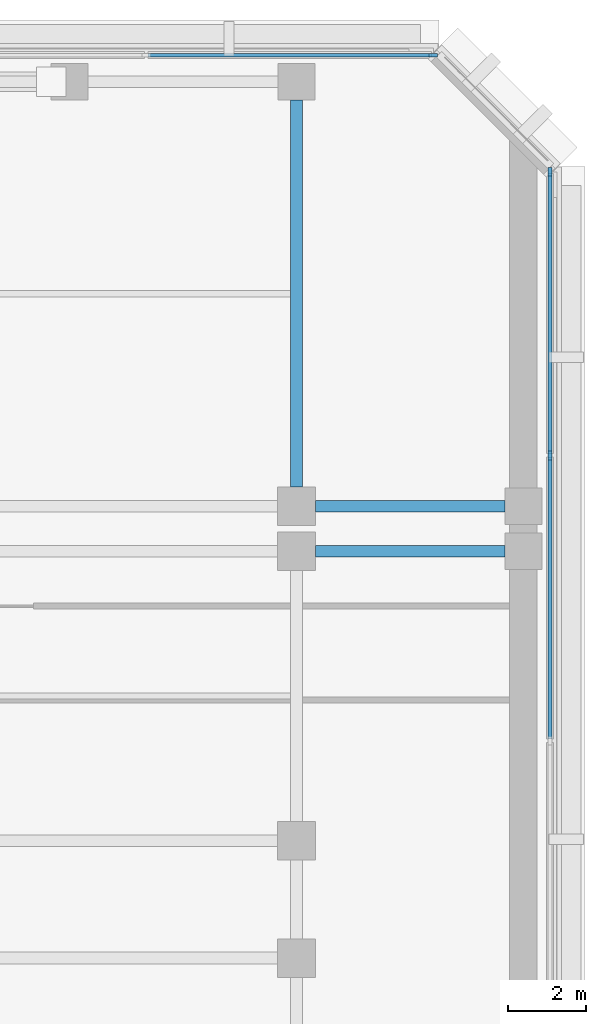
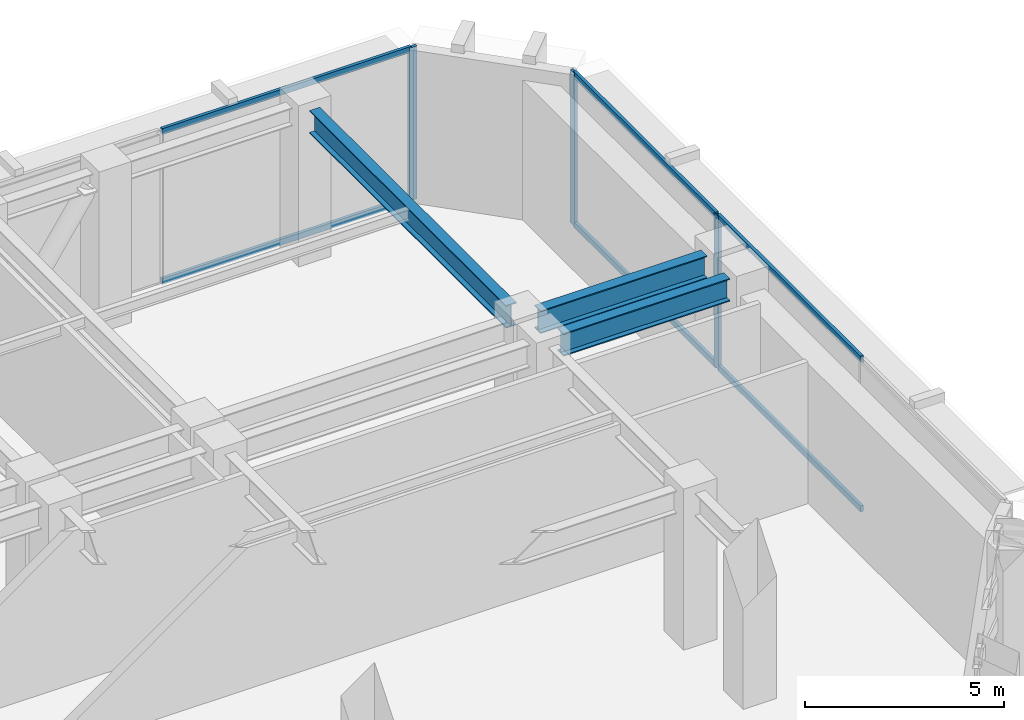
# One storey, part 5 of 13: 9 members, 3 beams, 2 elements without a shape of their own.
"""IFC4 building model written with IfcOpenShell, lengths in metres."""

from ifc_helpers import new_model, si_unit, direction, frame, origin, origin_2d, place, context, subcontext, project, spatial, rectangle, i_section, extrude, material, layer, layer_set, material_profile, profile_set, type_object, element, aggregate, save


model = new_model("IFC4")

# Units and contexts
model_context = context("Model", 3, precision=1e-05, world=origin(), true_north=direction((0.0, 1.0)))
body_context = subcontext(model_context, "Body", "Model", "MODEL_VIEW")
ifc_project = project(units=[si_unit("LENGTHUNIT", "METRE"), si_unit("AREAUNIT", "SQUARE_METRE"), si_unit("VOLUMEUNIT", "CUBIC_METRE"), si_unit("PLANEANGLEUNIT", "RADIAN"), si_unit("MASSUNIT", "GRAM", prefix="KILO")], contexts=[model_context])

# Site, building, storey
site_placement = place(None, origin())
site = spatial("IfcSite", under=ifc_project, at=site_placement, CompositionType="ELEMENT")
building_placement = place(site_placement, origin())
building = spatial("IfcBuilding", under=site, at=building_placement, Name="Kefirva Bronze Tower", CompositionType="ELEMENT")
storey_placement = place(building_placement, frame((0.0, 0.0, 93.719970703125)))
storey = spatial("IfcBuildingStorey", under=building, at=storey_placement, Name="L22", CompositionType="ELEMENT", Elevation=93.719970703125)

# Curtain wall, members
ifc_material_1 = material(Name="Bronze anodised aluminium", Category="aluminium")
ifc_layer = layer(ifc_material_1, 0.219970703125, Name="Bronze anodised aluminium")
ifc_layer_set = layer_set([ifc_layer], Name="Bronze anodised aluminium")
curtain_wall_type = type_object("IfcCurtainWallType", Name="Refuge Acoustic Louvre Curtain Screen", PredefinedType="USERDEFINED", material=ifc_layer_set)
curtain_wall_1_placement = place(storey_placement, origin())
curtain_wall_1 = element("IfcCurtainWall", 1, at=curtain_wall_1_placement, inside=storey, type_object=curtain_wall_type, Name="L22 Curtain Wall 3", ObjectType="LOUVRE SCREEN WALL", PredefinedType="USERDEFINED")
ifc_material_profile_1 = material_profile(ifc_material_1, rectangle(XDim=0.090087890625, YDim=0.219970703125, at=origin_2d()), Name="ALU 90x220")
ifc_profile_set_1 = profile_set([ifc_material_profile_1], Name="Bronze anodised aluminium")
member_type_1 = type_object("IfcMemberType", Name="Bronze Mullion 90x220", PredefinedType="MULLION", material=ifc_profile_set_1)
member_1_placement = place(storey_placement, frame((55.8798828125, 35.6484375, 0.0), z_axis=(0.0, 0.0, 1.0), x_axis=(-1.0, 0.0, 0.0)))
member_1 = element("IfcMember", 2, at=member_1_placement, type_object=member_type_1, Name="CW-06 mullion 3", PredefinedType="MULLION", context=body_context, shape_type="SweptSolid", body=[
    extrude(rectangle(XDim=0.090087890625, YDim=0.219970703125, at=origin_2d()), origin(), (0.0, 0.0, 1.0), 4.699951171875),
])
member_2_placement = place(storey_placement, frame((55.8798828125, 42.89990234375, 0.0), z_axis=(0.0, 0.0, 1.0), x_axis=(-1.0, 0.0, 0.0)))
member_2 = element("IfcMember", 3, at=member_2_placement, type_object=member_type_1, Name="CW-06 mullion 4", PredefinedType="MULLION", context=body_context, shape_type="SweptSolid", body=[
    extrude(rectangle(XDim=0.090087890625, YDim=0.219970703125, at=origin_2d()), origin(), (0.0, 0.0, 1.0), 4.699951171875),
])

# Curtain wall, member
curtain_wall_2_placement = place(storey_placement, origin())
curtain_wall_2 = element("IfcCurtainWall", 4, at=curtain_wall_2_placement, inside=storey, type_object=curtain_wall_type, Name="L22 Curtain Wall 4", ObjectType="LOUVRE SCREEN WALL", PredefinedType="USERDEFINED")
member_3_placement = place(storey_placement, frame((52.89990234375, 45.8798828125, 0.0), z_axis=(0.0, 0.0, 1.0), x_axis=(0.0, -1.0, 0.0)))
member_3 = element("IfcMember", 5, at=member_3_placement, type_object=member_type_1, Name="CW-06 mullion 1", PredefinedType="MULLION", context=body_context, shape_type="SweptSolid", body=[
    extrude(rectangle(XDim=0.090087890625, YDim=0.219970703125, at=origin_2d()), origin(), (0.0, 0.0, 1.0), 4.699951171875),
])

# Member
ifc_material_profile_2 = material_profile(ifc_material_1, rectangle(XDim=0.090087890625, YDim=0.179931640625, at=origin_2d()), Name="ALU 90x180")
ifc_profile_set_2 = profile_set([ifc_material_profile_2], Name="Bronze anodised aluminium")
member_type_2 = type_object("IfcMemberType", Name="Bronze Transom 90x180", PredefinedType="USERDEFINED", material=ifc_profile_set_2)
member_4_placement = place(storey_placement, frame((55.8798828125, 28.396728515625, 0.044921875), z_axis=(0.0, 1.0, 0.0), x_axis=(-1.0, 0.0, 0.0)))
member_4 = element("IfcMember", 6, at=member_4_placement, type_object=member_type_2, Name="CW-06 transom 2.1", ObjectType="TRANSOM", PredefinedType="USERDEFINED", context=body_context, shape_type="SweptSolid", body=[
    extrude(rectangle(XDim=0.090087890625, YDim=0.179931640625, at=origin_2d()), origin(), (0.0, 0.0, 1.0), 7.20654296875),
])

member_5_placement = place(storey_placement, frame((55.8798828125, 28.396728515625, 4.655029296875), z_axis=(0.0, 1.0, 0.0), x_axis=(-1.0, 0.0, 0.0)))
member_5 = element("IfcMember", 7, at=member_5_placement, type_object=member_type_2, Name="CW-06 transom 2.2", ObjectType="TRANSOM", PredefinedType="USERDEFINED", context=body_context, shape_type="SweptSolid", body=[
    extrude(rectangle(XDim=0.090087890625, YDim=0.179931640625, at=origin_2d()), origin(), (0.0, 0.0, 1.0), 7.20654296875),
])

member_6_placement = place(storey_placement, frame((55.8798828125, 35.693359375, 0.044921875), z_axis=(0.0, 1.0, 0.0), x_axis=(-1.0, 0.0, 0.0)))
member_6 = element("IfcMember", 8, at=member_6_placement, type_object=member_type_2, Name="CW-06 transom 3.1", ObjectType="TRANSOM", PredefinedType="USERDEFINED", context=body_context, shape_type="SweptSolid", body=[
    extrude(rectangle(XDim=0.090087890625, YDim=0.179931640625, at=origin_2d()), origin(), (0.0, 0.0, 1.0), 7.16162109375),
])

member_7_placement = place(storey_placement, frame((55.8798828125, 35.693359375, 4.655029296875), z_axis=(0.0, 1.0, 0.0), x_axis=(-1.0, 0.0, 0.0)))
member_7 = element("IfcMember", 9, at=member_7_placement, type_object=member_type_2, Name="CW-06 transom 3.2", ObjectType="TRANSOM", PredefinedType="USERDEFINED", context=body_context, shape_type="SweptSolid", body=[
    extrude(rectangle(XDim=0.090087890625, YDim=0.179931640625, at=origin_2d()), origin(), (0.0, 0.0, 1.0), 7.16162109375),
])

aggregate(curtain_wall_1, [member_1, member_2, member_4, member_5, member_6, member_7])

member_8_placement = place(storey_placement, frame((52.85498046875, 45.8798828125, 0.044921875), z_axis=(-1.0, 0.0, 0.0), x_axis=(0.0, -1.0, 0.0)))
member_8 = element("IfcMember", 10, at=member_8_placement, type_object=member_type_2, Name="CW-06 transom 1.1", ObjectType="TRANSOM", PredefinedType="USERDEFINED", context=body_context, shape_type="SweptSolid", body=[
    extrude(rectangle(XDim=0.090087890625, YDim=0.179931640625, at=origin_2d()), origin(), (0.0, 0.0, 1.0), 7.25),
])

member_9_placement = place(storey_placement, frame((52.85498046875, 45.8798828125, 4.655029296875), z_axis=(-1.0, 0.0, 0.0), x_axis=(0.0, -1.0, 0.0)))
member_9 = element("IfcMember", 11, at=member_9_placement, type_object=member_type_2, Name="CW-06 transom 1.2", ObjectType="TRANSOM", PredefinedType="USERDEFINED", context=body_context, shape_type="SweptSolid", body=[
    extrude(rectangle(XDim=0.090087890625, YDim=0.179931640625, at=origin_2d()), origin(), (0.0, 0.0, 1.0), 7.25),
])

aggregate(curtain_wall_2, [member_3, member_8, member_9])

# Beams
ifc_material_2 = material(Name="Steel S355", Category="steel")
ifc_material_profile_3 = material_profile(ifc_material_2, i_section(OverallWidth=0.300048828125, OverallDepth=0.699951171875, WebThickness=0.01708984375, FlangeThickness=0.031982421875, at=origin_2d()), Name="HEB 700")
ifc_profile_set_3 = profile_set([ifc_material_profile_3], Name="Steel S355")
beam_type = type_object("IfcBeamType", Name="Steel Girder HEB 700", PredefinedType="USERDEFINED", material=ifc_profile_set_3)
for number, where, z_axis, x_axis, name in (
    (12, (49.889892578125, 33.199951171875, 4.35009765625), (1.0, 0.0, 0.0), (0.0, 1.0, 0.0), "L22 BM-L22-EW-49-332"),
    (13, (49.889892578125, 34.35009765625, 4.35009765625), (1.0, 0.0, 0.0), (0.0, 1.0, 0.0), "L22 BM-L22-EW-49-344"),
):
    element("IfcBeam", number, at=place(storey_placement, frame(where, z_axis=z_axis, x_axis=x_axis)), inside=storey, type_object=beam_type, Name=name, ObjectType="GIRDER", PredefinedType="USERDEFINED", context=body_context, shape_type="SweptSolid", body=[
        extrude(i_section(OverallWidth=0.300048828125, OverallDepth=0.699951171875, WebThickness=0.01708984375, FlangeThickness=0.031982421875, at=origin_2d()), origin(), (0.0, 0.0, 1.0), 4.840087890625),
    ])
beam_placement = place(storey_placement, frame((49.39990234375, 34.840087890625, 4.35009765625), z_axis=(0.0, 1.0, 0.0), x_axis=(-1.0, 0.0, 0.0)))
element("IfcBeam", 14, at=beam_placement, inside=storey, type_object=beam_type, Name="L22 BM-L22-NS-494-34", ObjectType="GIRDER", PredefinedType="USERDEFINED", context=body_context, shape_type="SweptSolid", body=[
    extrude(i_section(OverallWidth=0.300048828125, OverallDepth=0.699951171875, WebThickness=0.01708984375, FlangeThickness=0.031982421875, at=origin_2d()), origin(), (0.0, 0.0, 1.0), 9.889892578125),
])

save(model, "model.ifc")
